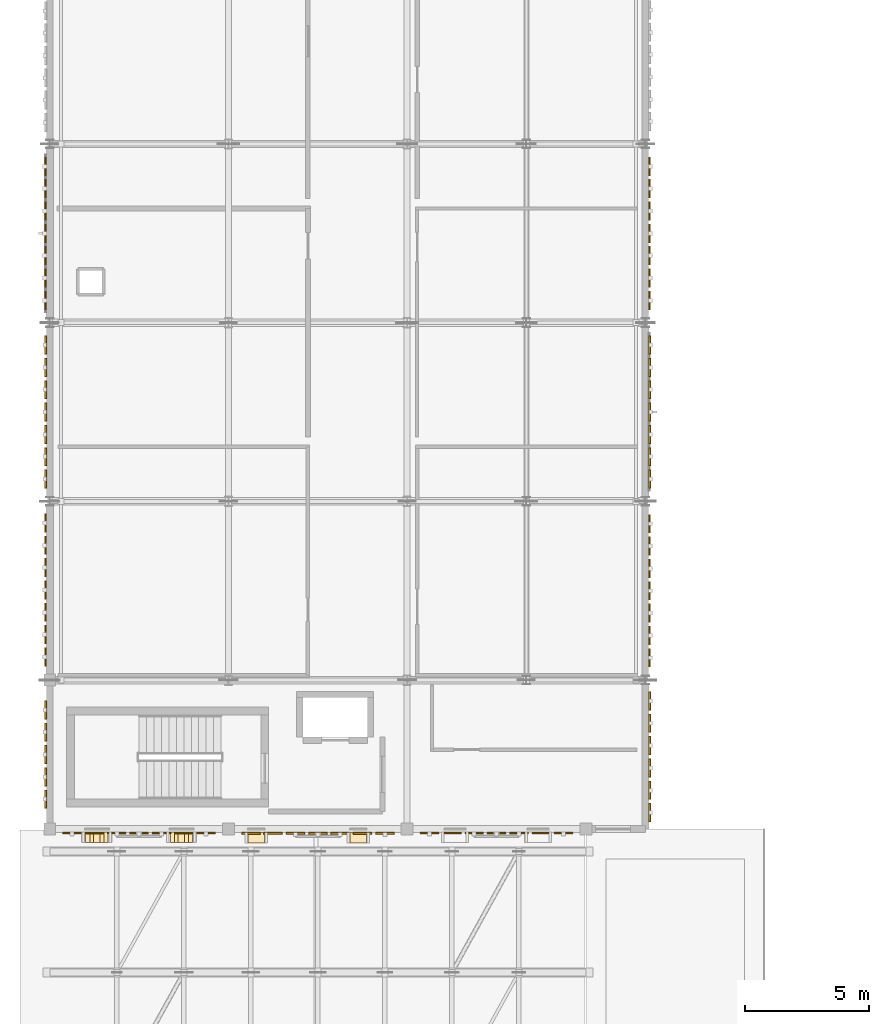
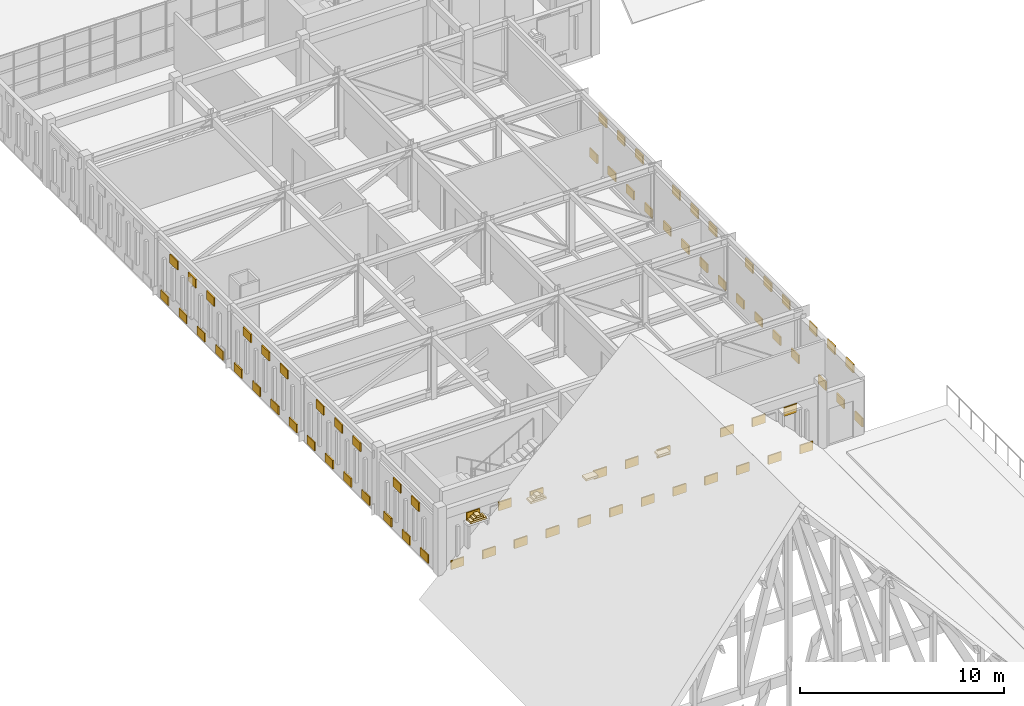
# One storey, part 74 of 79: 82 coverings.
"""IFC4 building model written with IfcOpenShell, lengths in metres."""

from ifc_helpers import new_model, si_unit, direction, frame, origin, origin_2d, place, context, subcontext, project, spatial, rectangle, extrude, material, layer, layer_set, type_object, element, save


model = new_model("IFC4")

# Units and contexts
model_context = context("Model", 3, precision=1e-05, world=origin(), true_north=direction((0.0, 1.0)))
body_context = subcontext(model_context, "Body", "Model", "MODEL_VIEW")
ifc_project = project(units=[si_unit("LENGTHUNIT", "METRE"), si_unit("AREAUNIT", "SQUARE_METRE"), si_unit("VOLUMEUNIT", "CUBIC_METRE"), si_unit("PLANEANGLEUNIT", "RADIAN"), si_unit("MASSUNIT", "GRAM", prefix="KILO")], contexts=[model_context])

# Site, building, storey
site_placement = place(None, origin())
site = spatial("IfcSite", under=ifc_project, at=site_placement, CompositionType="ELEMENT")
building_placement = place(site_placement, origin())
building = spatial("IfcBuilding", under=site, at=building_placement, Name="Nzembalo Square Collegiate School", CompositionType="ELEMENT")
storey_placement = place(building_placement, frame((0.0, 0.0, 9.52001953125)))
storey = spatial("IfcBuildingStorey", under=building, at=storey_placement, Name="L02", CompositionType="ELEMENT", Elevation=9.52001953125)

# Coverings
ifc_material_1 = material(Name="Glazed cobalt ceramic patterned tile")
ifc_layer_1 = layer(ifc_material_1, 0.074951171875, Name="Glazed cobalt ceramic patterned tile")
ifc_layer_set_1 = layer_set([ifc_layer_1], Name="Glazed cobalt ceramic patterned tile")
covering_type_1 = type_object("IfcCoveringType", Name="CL01", PredefinedType="CLADDING", material=ifc_layer_set_1)
for number, where, z_axis, x_axis, name in (
    (1, (9.300048828125, 44.239990234375, 0.099853515625), (0.0, 0.0, 1.0), (1.0, 0.0, 0.0), "Patterned ceramic tile CL01-X0177-0-0"),
    (2, (10.199951171875, 44.239990234375, 2.678955078125), (0.0, 0.0, 1.0), (1.0, 0.0, 0.0), "Patterned ceramic tile CL01-X0177-1-1"),
    (3, (11.10009765625, 44.239990234375, 0.099853515625), (0.0, 0.0, 1.0), (1.0, 0.0, 0.0), "Patterned ceramic tile CL01-X0177-2-0"),
    (4, (12.0, 44.239990234375, 2.678955078125), (0.0, 0.0, 1.0), (1.0, 0.0, 0.0), "Patterned ceramic tile CL01-X0177-3-1"),
    (5, (12.89990234375, 44.239990234375, 0.099853515625), (0.0, 0.0, 1.0), (1.0, 0.0, 0.0), "Patterned ceramic tile CL01-X0177-4-0"),
    (6, (13.800048828125, 44.239990234375, 2.678955078125), (0.0, 0.0, 1.0), (1.0, 0.0, 0.0), "Patterned ceramic tile CL01-X0177-5-1"),
    (7, (14.699951171875, 44.239990234375, 0.099853515625), (0.0, 0.0, 1.0), (1.0, 0.0, 0.0), "Patterned ceramic tile CL01-X0177-6-0"),
    (8, (16.5, 44.22998046875, 0.099853515625), (0.0, 0.0, 1.0), (1.0, 0.0, 0.0), "Patterned ceramic tile CL01-X0178-0-0"),
    (9, (17.39990234375, 44.22998046875, 2.678955078125), (0.0, 0.0, 1.0), (1.0, 0.0, 0.0), "Patterned ceramic tile CL01-X0178-1-1"),
    (10, (18.300048828125, 44.22998046875, 0.099853515625), (0.0, 0.0, 1.0), (1.0, 0.0, 0.0), "Patterned ceramic tile CL01-X0178-2-0"),
    (11, (19.199951171875, 44.22998046875, 2.678955078125), (0.0, 0.0, 1.0), (1.0, 0.0, 0.0), "Patterned ceramic tile CL01-X0178-3-1"),
    (12, (20.10009765625, 44.22998046875, 0.099853515625), (0.0, 0.0, 1.0), (1.0, 0.0, 0.0), "Patterned ceramic tile CL01-X0178-4-0"),
    (13, (21.0, 44.22998046875, 2.678955078125), (0.0, 0.0, 1.0), (1.0, 0.0, 0.0), "Patterned ceramic tile CL01-X0178-5-1"),
    (14, (21.89990234375, 44.22998046875, 0.099853515625), (0.0, 0.0, 1.0), (1.0, 0.0, 0.0), "Patterned ceramic tile CL01-X0178-6-0"),
    (15, (23.699951171875, 44.239990234375, 0.099853515625), (0.0, 0.0, 1.0), (1.0, 0.0, 0.0), "Patterned ceramic tile CL01-X0179-0-0"),
    (16, (24.60009765625, 44.239990234375, 2.678955078125), (0.0, 0.0, 1.0), (1.0, 0.0, 0.0), "Patterned ceramic tile CL01-X0179-1-1"),
    (17, (25.5, 44.239990234375, 0.099853515625), (0.0, 0.0, 1.0), (1.0, 0.0, 0.0), "Patterned ceramic tile CL01-X0179-2-0"),
    (18, (26.39990234375, 44.239990234375, 2.678955078125), (0.0, 0.0, 1.0), (1.0, 0.0, 0.0), "Patterned ceramic tile CL01-X0179-3-1"),
    (19, (27.300048828125, 44.239990234375, 0.099853515625), (0.0, 0.0, 1.0), (1.0, 0.0, 0.0), "Patterned ceramic tile CL01-X0179-4-0"),
    (20, (28.199951171875, 44.239990234375, 2.678955078125), (0.0, 0.0, 1.0), (1.0, 0.0, 0.0), "Patterned ceramic tile CL01-X0179-5-1"),
    (21, (29.10009765625, 44.239990234375, 0.099853515625), (0.0, 0.0, 1.0), (1.0, 0.0, 0.0), "Patterned ceramic tile CL01-X0179-6-0"),
):
    element("IfcCovering", number, at=place(storey_placement, frame(where, z_axis=z_axis, x_axis=x_axis)), inside=storey, type_object=covering_type_1, Name=name, PredefinedType="CLADDING", context=body_context, shape_type="SweptSolid", body=[
        extrude(rectangle(XDim=0.739990234375, YDim=0.074951171875, at=origin_2d()), origin(), (0.0, 0.0, 1.0), 0.52001953125),
    ])
for number, where, z_axis, x_axis, name in (
    (22, (8.239990234375, 45.60009765625, 0.099853515625), (0.0, 0.0, 1.0), (1.0, 0.0, 0.0), "Patterned ceramic tile CL01-Y0181-0-0"),
    (23, (8.239990234375, 46.5, 2.678955078125), (0.0, 0.0, 1.0), (1.0, 0.0, 0.0), "Patterned ceramic tile CL01-Y0181-1-1"),
    (24, (8.239990234375, 47.39990234375, 0.099853515625), (0.0, 0.0, 1.0), (1.0, 0.0, 0.0), "Patterned ceramic tile CL01-Y0181-2-0"),
    (25, (8.239990234375, 48.300048828125, 2.678955078125), (0.0, 0.0, 1.0), (1.0, 0.0, 0.0), "Patterned ceramic tile CL01-Y0181-3-1"),
    (26, (8.239990234375, 49.199951171875, 0.099853515625), (0.0, 0.0, 1.0), (1.0, 0.0, 0.0), "Patterned ceramic tile CL01-Y0181-4-0"),
    (27, (8.22998046875, 51.33251953125, 0.099853515625), (0.0, 0.0, 1.0), (1.0, 0.0, 0.0), "Patterned ceramic tile CL01-Y0182-0-0"),
    (28, (8.22998046875, 52.232421875, 2.7890625), (0.0, 0.0, 1.0), (1.0, 0.0, 0.0), "Patterned ceramic tile CL01-Y0182-1-1"),
    (29, (8.22998046875, 53.132568359375, 0.099853515625), (0.0, 0.0, 1.0), (1.0, 0.0, 0.0), "Patterned ceramic tile CL01-Y0182-2-0"),
    (30, (8.22998046875, 54.032470703125, 2.7890625), (0.0, 0.0, 1.0), (1.0, 0.0, 0.0), "Patterned ceramic tile CL01-Y0182-3-1"),
    (31, (8.22998046875, 54.9326171875, 0.099853515625), (0.0, 0.0, 1.0), (1.0, 0.0, 0.0), "Patterned ceramic tile CL01-Y0182-4-0"),
    (32, (8.22998046875, 55.83251953125, 2.7890625), (0.0, 0.0, 1.0), (1.0, 0.0, 0.0), "Patterned ceramic tile CL01-Y0182-5-1"),
    (33, (8.22998046875, 56.732421875, 0.099853515625), (0.0, 0.0, 1.0), (1.0, 0.0, 0.0), "Patterned ceramic tile CL01-Y0182-6-0"),
    (34, (8.239990234375, 58.5, 0.099853515625), (0.0, 0.0, 1.0), (1.0, 0.0, 0.0), "Patterned ceramic tile CL01-Y0183-0-0"),
    (35, (8.239990234375, 59.39990234375, 2.7890625), (0.0, 0.0, 1.0), (1.0, 0.0, 0.0), "Patterned ceramic tile CL01-Y0183-1-1"),
    (36, (8.239990234375, 60.300048828125, 0.099853515625), (0.0, 0.0, 1.0), (1.0, 0.0, 0.0), "Patterned ceramic tile CL01-Y0183-2-0"),
    (37, (8.239990234375, 61.199951171875, 2.7890625), (0.0, 0.0, 1.0), (1.0, 0.0, 0.0), "Patterned ceramic tile CL01-Y0183-3-1"),
    (38, (8.239990234375, 62.10009765625, 0.099853515625), (0.0, 0.0, 1.0), (1.0, 0.0, 0.0), "Patterned ceramic tile CL01-Y0183-4-0"),
    (39, (8.239990234375, 63.0, 2.7890625), (0.0, 0.0, 1.0), (1.0, 0.0, 0.0), "Patterned ceramic tile CL01-Y0183-5-1"),
    (40, (8.239990234375, 63.89990234375, 0.099853515625), (0.0, 0.0, 1.0), (1.0, 0.0, 0.0), "Patterned ceramic tile CL01-Y0183-6-0"),
    (41, (8.22998046875, 65.699951171875, 0.099853515625), (0.0, 0.0, 1.0), (1.0, 0.0, 0.0), "Patterned ceramic tile CL01-Y0184-0-0"),
    (42, (8.22998046875, 66.60009765625, 2.7890625), (0.0, 0.0, 1.0), (1.0, 0.0, 0.0), "Patterned ceramic tile CL01-Y0184-1-1"),
    (43, (8.22998046875, 67.5, 0.099853515625), (0.0, 0.0, 1.0), (1.0, 0.0, 0.0), "Patterned ceramic tile CL01-Y0184-2-0"),
    (44, (8.22998046875, 68.39990234375, 2.7890625), (0.0, 0.0, 1.0), (1.0, 0.0, 0.0), "Patterned ceramic tile CL01-Y0184-3-1"),
    (45, (8.22998046875, 69.300048828125, 0.099853515625), (0.0, 0.0, 1.0), (1.0, 0.0, 0.0), "Patterned ceramic tile CL01-Y0184-4-0"),
    (46, (8.22998046875, 70.199951171875, 2.7890625), (0.0, 0.0, 1.0), (1.0, 0.0, 0.0), "Patterned ceramic tile CL01-Y0184-5-1"),
    (47, (8.22998046875, 71.10009765625, 0.099853515625), (0.0, 0.0, 1.0), (1.0, 0.0, 0.0), "Patterned ceramic tile CL01-Y0184-6-0"),
    (48, (32.570068359375, 45.0615234375, 0.099853515625), (0.0, 0.0, 1.0), (1.0, 0.0, 0.0), "Patterned ceramic tile CL01-Y0190-0-0"),
    (49, (32.570068359375, 45.96142578125, 2.7890625), (0.0, 0.0, 1.0), (1.0, 0.0, 0.0), "Patterned ceramic tile CL01-Y0190-1-1"),
    (50, (32.570068359375, 46.861572265625, 0.099853515625), (0.0, 0.0, 1.0), (1.0, 0.0, 0.0), "Patterned ceramic tile CL01-Y0190-2-0"),
    (51, (32.570068359375, 47.761474609375, 2.7890625), (0.0, 0.0, 1.0), (1.0, 0.0, 0.0), "Patterned ceramic tile CL01-Y0190-3-1"),
    (52, (32.570068359375, 48.66162109375, 0.099853515625), (0.0, 0.0, 1.0), (1.0, 0.0, 0.0), "Patterned ceramic tile CL01-Y0190-4-0"),
    (53, (32.570068359375, 49.5615234375, 2.7890625), (0.0, 0.0, 1.0), (1.0, 0.0, 0.0), "Patterned ceramic tile CL01-Y0190-5-1"),
    (54, (32.56005859375, 51.300048828125, 0.099853515625), (0.0, 0.0, 1.0), (1.0, 0.0, 0.0), "Patterned ceramic tile CL01-Y0191-0-0"),
    (55, (32.56005859375, 52.199951171875, 2.7890625), (0.0, 0.0, 1.0), (1.0, 0.0, 0.0), "Patterned ceramic tile CL01-Y0191-1-1"),
    (56, (32.56005859375, 53.10009765625, 0.099853515625), (0.0, 0.0, 1.0), (1.0, 0.0, 0.0), "Patterned ceramic tile CL01-Y0191-2-0"),
    (57, (32.56005859375, 54.0, 2.7890625), (0.0, 0.0, 1.0), (1.0, 0.0, 0.0), "Patterned ceramic tile CL01-Y0191-3-1"),
    (58, (32.56005859375, 54.89990234375, 0.099853515625), (0.0, 0.0, 1.0), (1.0, 0.0, 0.0), "Patterned ceramic tile CL01-Y0191-4-0"),
    (59, (32.56005859375, 55.800048828125, 2.7890625), (0.0, 0.0, 1.0), (1.0, 0.0, 0.0), "Patterned ceramic tile CL01-Y0191-5-1"),
    (60, (32.56005859375, 56.699951171875, 0.099853515625), (0.0, 0.0, 1.0), (1.0, 0.0, 0.0), "Patterned ceramic tile CL01-Y0191-6-0"),
    (61, (32.570068359375, 58.5, 0.099853515625), (0.0, 0.0, 1.0), (1.0, 0.0, 0.0), "Patterned ceramic tile CL01-Y0192-0-0"),
    (62, (32.570068359375, 59.39990234375, 2.7890625), (0.0, 0.0, 1.0), (1.0, 0.0, 0.0), "Patterned ceramic tile CL01-Y0192-1-1"),
    (63, (32.570068359375, 60.300048828125, 0.099853515625), (0.0, 0.0, 1.0), (1.0, 0.0, 0.0), "Patterned ceramic tile CL01-Y0192-2-0"),
    (64, (32.570068359375, 61.199951171875, 2.7890625), (0.0, 0.0, 1.0), (1.0, 0.0, 0.0), "Patterned ceramic tile CL01-Y0192-3-1"),
    (65, (32.570068359375, 62.10009765625, 0.099853515625), (0.0, 0.0, 1.0), (1.0, 0.0, 0.0), "Patterned ceramic tile CL01-Y0192-4-0"),
    (66, (32.570068359375, 63.0, 2.7890625), (0.0, 0.0, 1.0), (1.0, 0.0, 0.0), "Patterned ceramic tile CL01-Y0192-5-1"),
    (67, (32.570068359375, 63.89990234375, 0.099853515625), (0.0, 0.0, 1.0), (1.0, 0.0, 0.0), "Patterned ceramic tile CL01-Y0192-6-0"),
    (68, (32.56005859375, 65.699951171875, 0.099853515625), (0.0, 0.0, 1.0), (1.0, 0.0, 0.0), "Patterned ceramic tile CL01-Y0193-0-0"),
    (69, (32.56005859375, 66.60009765625, 2.7890625), (0.0, 0.0, 1.0), (1.0, 0.0, 0.0), "Patterned ceramic tile CL01-Y0193-1-1"),
    (70, (32.56005859375, 67.5, 0.099853515625), (0.0, 0.0, 1.0), (1.0, 0.0, 0.0), "Patterned ceramic tile CL01-Y0193-2-0"),
    (71, (32.56005859375, 68.39990234375, 2.7890625), (0.0, 0.0, 1.0), (1.0, 0.0, 0.0), "Patterned ceramic tile CL01-Y0193-3-1"),
    (72, (32.56005859375, 69.300048828125, 0.099853515625), (0.0, 0.0, 1.0), (1.0, 0.0, 0.0), "Patterned ceramic tile CL01-Y0193-4-0"),
    (73, (32.56005859375, 70.199951171875, 2.7890625), (0.0, 0.0, 1.0), (1.0, 0.0, 0.0), "Patterned ceramic tile CL01-Y0193-5-1"),
    (74, (32.56005859375, 71.10009765625, 0.099853515625), (0.0, 0.0, 1.0), (1.0, 0.0, 0.0), "Patterned ceramic tile CL01-Y0193-6-0"),
):
    element("IfcCovering", number, at=place(storey_placement, frame(where, z_axis=z_axis, x_axis=x_axis)), inside=storey, type_object=covering_type_1, Name=name, PredefinedType="CLADDING", context=body_context, shape_type="SweptSolid", body=[
        extrude(rectangle(XDim=0.074951171875, YDim=0.739990234375, at=origin_2d()), origin(), (0.0, 0.0, 1.0), 0.52001953125),
    ])
ifc_material_2 = material(Name="Glazed celadon ceramic window frame")
ifc_layer_2 = layer(ifc_material_2, 0.419921875, Name="Glazed celadon ceramic window frame")
ifc_layer_set_2 = layer_set([ifc_layer_2], Name="Glazed celadon ceramic window frame")
covering_type_2 = type_object("IfcCoveringType", Name="WF01", PredefinedType="CLADDING", material=ifc_layer_set_2)
covering_1_placement = place(storey_placement, frame((10.2958984375, 44.0625, 2.739990234375), z_axis=(0.0, 0.0, 1.0), x_axis=(1.0, 0.0, 0.0)))
element("IfcCovering", 75, at=covering_1_placement, inside=storey, type_object=covering_type_2, Name="Pointed lancet gable WF01-0485-1", PredefinedType="CLADDING", context=body_context, shape_type="SweptSolid", body=[
    extrude(rectangle(XDim=0.89697265625, YDim=0.419921875, at=origin_2d()), origin(), (0.0, 0.0, 1.0), 0.1201171875),
])
covering_2_placement = place(storey_placement, frame((10.2958984375, 44.0625, 2.85986328125), z_axis=(0.0, 0.0, 1.0), x_axis=(1.0, 0.0, 0.0)))
element("IfcCovering", 76, at=covering_2_placement, inside=storey, type_object=covering_type_2, Name="Pointed lancet gable WF01-0485-2", PredefinedType="CLADDING", context=body_context, shape_type="SweptSolid", body=[
    extrude(rectangle(XDim=0.56591796875, YDim=0.419921875, at=origin_2d()), origin(), (0.0, 0.0, 1.0), 0.1201171875),
])
covering_3_placement = place(storey_placement, frame((10.2958984375, 44.0625, 2.97998046875), z_axis=(0.0, 0.0, 1.0), x_axis=(1.0, 0.0, 0.0)))
element("IfcCovering", 77, at=covering_3_placement, inside=storey, type_object=covering_type_2, Name="Pointed lancet gable WF01-0485-3", PredefinedType="CLADDING", context=body_context, shape_type="SweptSolid", body=[
    extrude(rectangle(XDim=0.260009765625, YDim=0.419921875, at=origin_2d()), origin(), (0.0, 0.0, 1.0), 0.1201171875),
])
covering_4_placement = place(storey_placement, frame((13.7041015625, 44.0625, 2.739990234375), z_axis=(0.0, 0.0, 1.0), x_axis=(1.0, 0.0, 0.0)))
element("IfcCovering", 78, at=covering_4_placement, inside=storey, type_object=covering_type_2, Name="Pointed lancet gable WF01-0486-1", PredefinedType="CLADDING", context=body_context, shape_type="SweptSolid", body=[
    extrude(rectangle(XDim=0.89697265625, YDim=0.419921875, at=origin_2d()), origin(), (0.0, 0.0, 1.0), 0.1201171875),
])
covering_5_placement = place(storey_placement, frame((13.7041015625, 44.0625, 2.85986328125), z_axis=(0.0, 0.0, 1.0), x_axis=(1.0, 0.0, 0.0)))
element("IfcCovering", 79, at=covering_5_placement, inside=storey, type_object=covering_type_2, Name="Pointed lancet gable WF01-0486-2", PredefinedType="CLADDING", context=body_context, shape_type="SweptSolid", body=[
    extrude(rectangle(XDim=0.56591796875, YDim=0.419921875, at=origin_2d()), origin(), (0.0, 0.0, 1.0), 0.1201171875),
])
covering_6_placement = place(storey_placement, frame((13.7041015625, 44.0625, 2.97998046875), z_axis=(0.0, 0.0, 1.0), x_axis=(1.0, 0.0, 0.0)))
element("IfcCovering", 80, at=covering_6_placement, inside=storey, type_object=covering_type_2, Name="Pointed lancet gable WF01-0486-3", PredefinedType="CLADDING", context=body_context, shape_type="SweptSolid", body=[
    extrude(rectangle(XDim=0.260009765625, YDim=0.419921875, at=origin_2d()), origin(), (0.0, 0.0, 1.0), 0.1201171875),
])
for number, where, z_axis, x_axis, name in (
    (81, (16.719970703125, 44.052490234375, 3.02001953125), (0.0, 0.0, 1.0), (1.0, 0.0, 0.0), "Pointed lancet gable WF01-0502-1"),
    (82, (20.8291015625, 44.052490234375, 3.02001953125), (0.0, 0.0, 1.0), (1.0, 0.0, 0.0), "Pointed lancet gable WF01-0503-1"),
):
    element("IfcCovering", number, at=place(storey_placement, frame(where, z_axis=z_axis, x_axis=x_axis)), inside=storey, type_object=covering_type_2, Name=name, PredefinedType="CLADDING", context=body_context, shape_type="SweptSolid", body=[
        extrude(rectangle(XDim=0.6689453125, YDim=0.419921875, at=origin_2d()), origin(), (0.0, 0.0, 1.0), 0.1201171875),
    ])

save(model, "model.ifc")
